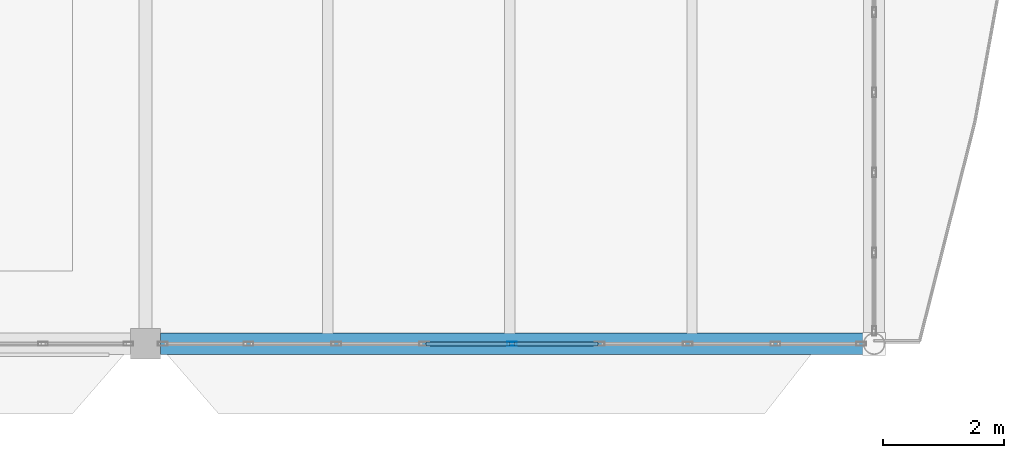
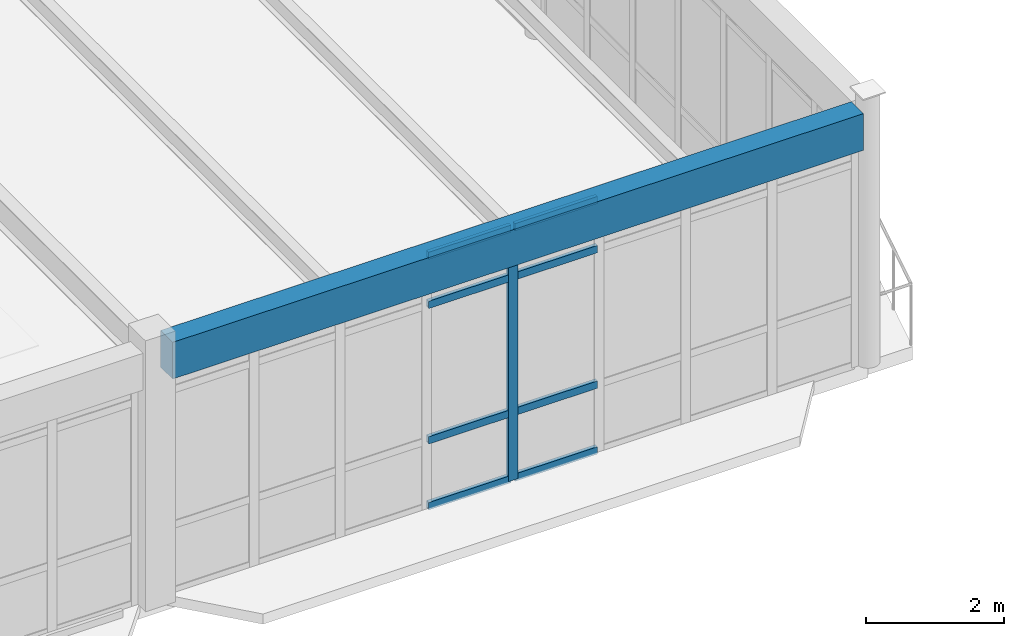
# One storey, part 15 of 236: 9 members, 1 beam, 1 element without a shape of its own.
"""IFC4 building model written with IfcOpenShell, lengths in metres."""

from ifc_helpers import new_model, si_unit, direction, frame, origin, origin_2d, place, context, subcontext, project, spatial, rectangle, hollow_rectangle, extrude, material, layer, layer_set, material_profile, profile_set, type_object, element, aggregate, save


model = new_model("IFC4")

# Units and contexts
model_context = context("Model", 3, precision=1e-05, world=origin(), true_north=direction((0.0, 1.0)))
body_context = subcontext(model_context, "Body", "Model", "MODEL_VIEW")
ifc_project = project(units=[si_unit("LENGTHUNIT", "METRE"), si_unit("AREAUNIT", "SQUARE_METRE"), si_unit("VOLUMEUNIT", "CUBIC_METRE"), si_unit("PLANEANGLEUNIT", "RADIAN"), si_unit("MASSUNIT", "GRAM", prefix="KILO")], contexts=[model_context])

# Site, building, storey
site_placement = place(None, origin())
site = spatial("IfcSite", under=ifc_project, at=site_placement, CompositionType="ELEMENT")
building_placement = place(site_placement, origin())
building = spatial("IfcBuilding", under=site, at=building_placement, Name="Pandanus Reach Market Hall", CompositionType="ELEMENT")
storey_placement = place(building_placement, frame((0.0, 0.0, 5.39990234375)))
storey = spatial("IfcBuildingStorey", under=building, at=storey_placement, Name="L01", CompositionType="ELEMENT", Elevation=5.39990234375)

# Beam
ifc_material_1 = material(Name="Concrete N40 (40 MPa)", Category="concrete")
ifc_material_profile_1 = material_profile(ifc_material_1, rectangle(XDim=0.35009765625, YDim=0.64990234375, at=origin_2d()), Name="RC350x650", Category="LoadBearing")
ifc_profile_set_1 = profile_set([ifc_material_profile_1], Name="Concrete N40 (40 MPa)")
beam_type = type_object("IfcBeamType", Name="BM-RC350-E", PredefinedType="SPANDREL", material=ifc_profile_set_1)
beam_placement = place(storey_placement, frame((24.248046875, 0.0, 4.22998046875), z_axis=(1.0, 0.0, 0.0), x_axis=(0.0, 1.0, 0.0)))
element("IfcBeam", 1, at=beam_placement, inside=storey, type_object=beam_type, Name="Framing beam BM-RC350-E L01.968", PredefinedType="SPANDREL", context=body_context, shape_type="SweptSolid", body=[
    extrude(rectangle(XDim=0.35009765625, YDim=0.64990234375, at=origin_2d()), origin(), (0.0, 0.0, 1.0), 11.576171875),
])

# Curtain wall, members
ifc_material_2 = material(Name="Bronze anodised aluminium and low-E glass", Category="aluminium")
ifc_layer = layer(ifc_material_2, 0.159912109375, Name="CW-16")
ifc_layer_set = layer_set([ifc_layer], Name="Bronze anodised aluminium and low-E glass")
curtain_wall_type = type_object("IfcCurtainWallType", Name="CW-16", PredefinedType="NOTDEFINED", material=ifc_layer_set)
curtain_wall_placement = place(storey_placement, origin())
curtain_wall = element("IfcCurtainWall", 2, at=curtain_wall_placement, inside=storey, type_object=curtain_wall_type, Name="Glazed curtain wall CW-16 CW-0056", PredefinedType="NOTDEFINED")
ifc_material_3 = material(Name="Bronze anodised aluminium", Category="aluminium")
ifc_material_profile_2 = material_profile(ifc_material_3, hollow_rectangle(XDim=0.06494140625, YDim=0.159912109375, WallThickness=0.00390625, at=origin_2d()), Name="ALU65x160", Category="LoadBearing")
ifc_profile_set_2 = profile_set([ifc_material_profile_2], Name="Bronze anodised aluminium")
member_type_1 = type_object("IfcMemberType", Name="CW-M1", PredefinedType="MULLION", material=ifc_profile_set_2)
member_1_placement = place(storey_placement, frame((30.0361328125, 0.0, 0.0), z_axis=(0.0, 0.0, 1.0), x_axis=(0.0, 1.0, 0.0)))
member_1 = element("IfcMember", 3, at=member_1_placement, type_object=member_type_1, Name="CW-16 mullion 5", PredefinedType="MULLION", context=body_context, shape_type="SweptSolid", body=[
    extrude(hollow_rectangle(XDim=0.06494140625, YDim=0.159912109375, WallThickness=0.00390625, at=origin_2d()), origin(), (0.0, 0.0, 1.0), 4.5),
])
ifc_material_profile_3 = material_profile(ifc_material_3, hollow_rectangle(XDim=0.06494140625, YDim=0.1298828125, WallThickness=0.00390625, at=origin_2d()), Name="ALU65x130", Category="LoadBearing")
ifc_profile_set_3 = profile_set([ifc_material_profile_3], Name="Bronze anodised aluminium")
member_type_2 = type_object("IfcMemberType", Name="CW-T1", PredefinedType="USERDEFINED", material=ifc_profile_set_3)
member_2_placement = place(storey_placement, frame((28.6220703125, 0.0, 0.03271484375), z_axis=(1.0, 0.0, 0.0), x_axis=(0.0, 1.0, 0.0)))
member_2 = element("IfcMember", 4, at=member_2_placement, type_object=member_type_2, Name="CW-16 transom 4.1", ObjectType="TRANSOM", PredefinedType="USERDEFINED", context=body_context, shape_type="SweptSolid", body=[
    extrude(hollow_rectangle(XDim=0.06494140625, YDim=0.1298828125, WallThickness=0.00390625, at=origin_2d()), origin(), (0.0, 0.0, 1.0), 1.381591796875),
])
member_3_placement = place(storey_placement, frame((28.6220703125, 0.0, 1.2001953125), z_axis=(1.0, 0.0, 0.0), x_axis=(0.0, 1.0, 0.0)))
member_3 = element("IfcMember", 5, at=member_3_placement, type_object=member_type_2, Name="CW-16 transom 4.2", ObjectType="TRANSOM", PredefinedType="USERDEFINED", context=body_context, shape_type="SweptSolid", body=[
    extrude(hollow_rectangle(XDim=0.06494140625, YDim=0.1298828125, WallThickness=0.00390625, at=origin_2d()), origin(), (0.0, 0.0, 1.0), 1.381591796875),
])
member_4_placement = place(storey_placement, frame((28.6220703125, 0.0, 3.60009765625), z_axis=(1.0, 0.0, 0.0), x_axis=(0.0, 1.0, 0.0)))
member_4 = element("IfcMember", 6, at=member_4_placement, type_object=member_type_2, Name="CW-16 transom 4.3", ObjectType="TRANSOM", PredefinedType="USERDEFINED", context=body_context, shape_type="SweptSolid", body=[
    extrude(hollow_rectangle(XDim=0.06494140625, YDim=0.1298828125, WallThickness=0.00390625, at=origin_2d()), origin(), (0.0, 0.0, 1.0), 1.381591796875),
])
member_5_placement = place(storey_placement, frame((28.6220703125, 0.0, 4.467529296875), z_axis=(1.0, 0.0, 0.0), x_axis=(0.0, 1.0, 0.0)))
member_5 = element("IfcMember", 7, at=member_5_placement, type_object=member_type_2, Name="CW-16 transom 4.4", ObjectType="TRANSOM", PredefinedType="USERDEFINED", context=body_context, shape_type="SweptSolid", body=[
    extrude(hollow_rectangle(XDim=0.06494140625, YDim=0.1298828125, WallThickness=0.00390625, at=origin_2d()), origin(), (0.0, 0.0, 1.0), 1.381591796875),
])
member_6_placement = place(storey_placement, frame((30.068603515625, 0.0, 0.03271484375), z_axis=(1.0, 0.0, 0.0), x_axis=(0.0, 1.0, 0.0)))
member_6 = element("IfcMember", 8, at=member_6_placement, type_object=member_type_2, Name="CW-16 transom 5.1", ObjectType="TRANSOM", PredefinedType="USERDEFINED", context=body_context, shape_type="SweptSolid", body=[
    extrude(hollow_rectangle(XDim=0.06494140625, YDim=0.1298828125, WallThickness=0.00390625, at=origin_2d()), origin(), (0.0, 0.0, 1.0), 1.381591796875),
])
member_7_placement = place(storey_placement, frame((30.068603515625, 0.0, 1.2001953125), z_axis=(1.0, 0.0, 0.0), x_axis=(0.0, 1.0, 0.0)))
member_7 = element("IfcMember", 9, at=member_7_placement, type_object=member_type_2, Name="CW-16 transom 5.2", ObjectType="TRANSOM", PredefinedType="USERDEFINED", context=body_context, shape_type="SweptSolid", body=[
    extrude(hollow_rectangle(XDim=0.06494140625, YDim=0.1298828125, WallThickness=0.00390625, at=origin_2d()), origin(), (0.0, 0.0, 1.0), 1.381591796875),
])
member_8_placement = place(storey_placement, frame((30.068603515625, 0.0, 3.60009765625), z_axis=(1.0, 0.0, 0.0), x_axis=(0.0, 1.0, 0.0)))
member_8 = element("IfcMember", 10, at=member_8_placement, type_object=member_type_2, Name="CW-16 transom 5.3", ObjectType="TRANSOM", PredefinedType="USERDEFINED", context=body_context, shape_type="SweptSolid", body=[
    extrude(hollow_rectangle(XDim=0.06494140625, YDim=0.1298828125, WallThickness=0.00390625, at=origin_2d()), origin(), (0.0, 0.0, 1.0), 1.381591796875),
])
member_9_placement = place(storey_placement, frame((30.068603515625, 0.0, 4.467529296875), z_axis=(1.0, 0.0, 0.0), x_axis=(0.0, 1.0, 0.0)))
member_9 = element("IfcMember", 11, at=member_9_placement, type_object=member_type_2, Name="CW-16 transom 5.4", ObjectType="TRANSOM", PredefinedType="USERDEFINED", context=body_context, shape_type="SweptSolid", body=[
    extrude(hollow_rectangle(XDim=0.06494140625, YDim=0.1298828125, WallThickness=0.00390625, at=origin_2d()), origin(), (0.0, 0.0, 1.0), 1.381591796875),
])
aggregate(curtain_wall, [member_1, member_2, member_3, member_4, member_5, member_6, member_7, member_8, member_9])

save(model, "model.ifc")
